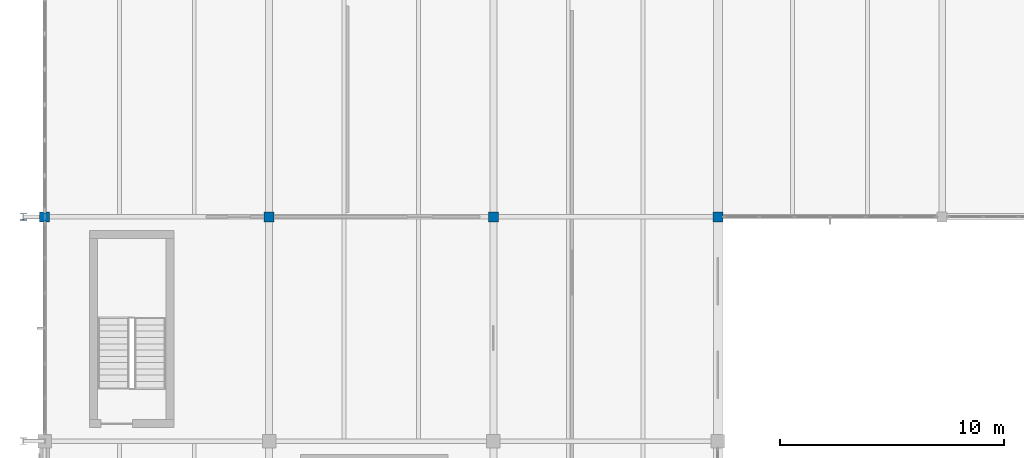
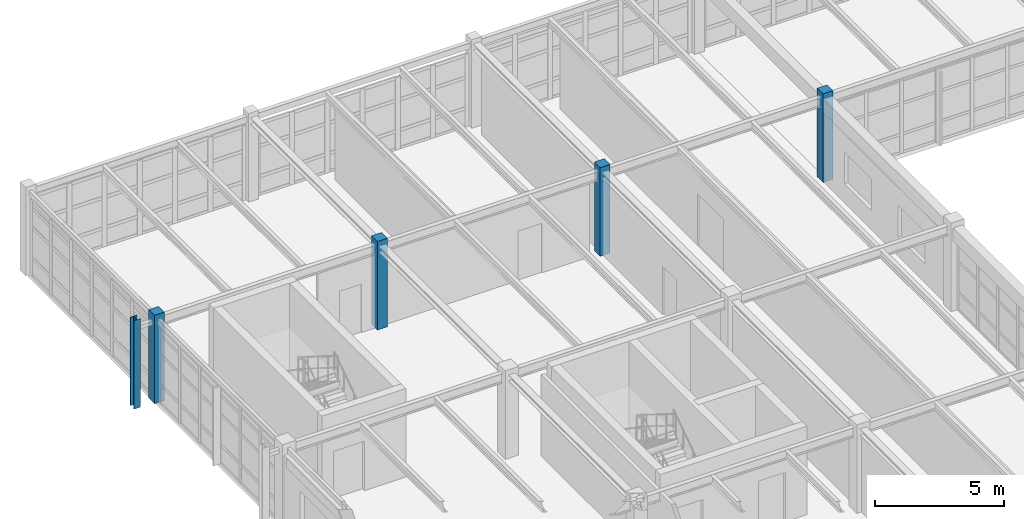
# One storey, part 5 of 122: 5 columns.
"""IFC4 building model written with IfcOpenShell, lengths in metres."""

from ifc_helpers import new_model, si_unit, direction, frame, origin, origin_2d, place, context, subcontext, project, spatial, rectangle, i_section, extrude, material, material_profile, profile_set, type_object, element, save


model = new_model("IFC4")

# Units and contexts
model_context = context("Model", 3, precision=1e-05, world=origin(), true_north=direction((0.0, 1.0)))
body_context = subcontext(model_context, "Body", "Model", "MODEL_VIEW")
ifc_project = project(units=[si_unit("LENGTHUNIT", "METRE"), si_unit("AREAUNIT", "SQUARE_METRE"), si_unit("VOLUMEUNIT", "CUBIC_METRE"), si_unit("PLANEANGLEUNIT", "RADIAN"), si_unit("MASSUNIT", "GRAM", prefix="KILO"), si_unit("THERMODYNAMICTEMPERATUREUNIT", "KELVIN"), si_unit("POWERUNIT", "WATT")], contexts=[model_context])

# Site, building, storey
site_placement = place(None, origin())
site = spatial("IfcSite", under=ifc_project, at=site_placement, CompositionType="ELEMENT")
building_placement = place(site_placement, origin())
building = spatial("IfcBuilding", under=site, at=building_placement, Name="Korenveer Ferry Terminal", CompositionType="ELEMENT")
storey_placement = place(building_placement, frame((0.0, 0.0, 10.199951171875)))
storey = spatial("IfcBuildingStorey", under=building, at=storey_placement, Name="L02", CompositionType="ELEMENT", Elevation=10.199951171875)

# Columns
ifc_material_1 = material(Name="Concrete C45/55", Category="concrete")
ifc_material_profile_1 = material_profile(ifc_material_1, rectangle(XDim=0.449951171875, YDim=0.449951171875, at=origin_2d()), Name="RC 450x450")
ifc_profile_set_1 = profile_set([ifc_material_profile_1], Name="Concrete C45/55")
column_type_1 = type_object("IfcColumnType", Name="STR-COL-RC450", PredefinedType="COLUMN", material=ifc_profile_set_1)
for number, where, z_axis, x_axis, name in (
    (1, (0.0, 70.0, 0.0), (0.0, 0.0, 1.0), (1.0, 0.0, 0.0), "Column COL-L02-X0-Y70"),
    (2, (10.0, 70.0, 0.0), (0.0, 0.0, 1.0), (1.0, 0.0, 0.0), "Column COL-L02-X10-Y70"),
    (3, (20.0, 70.0, 0.0), (0.0, 0.0, 1.0), (1.0, 0.0, 0.0), "Column COL-L02-X20-Y70"),
    (4, (30.0, 70.0, 0.0), (0.0, 0.0, 1.0), (1.0, 0.0, 0.0), "Column COL-L02-X30-Y70"),
):
    element("IfcColumn", number, at=place(storey_placement, frame(where, z_axis=z_axis, x_axis=x_axis)), inside=storey, type_object=column_type_1, Name=name, PredefinedType="COLUMN", context=body_context, shape_type="SweptSolid", body=[
        extrude(rectangle(XDim=0.449951171875, YDim=0.449951171875, at=origin_2d()), origin(), (0.0, 0.0, 1.0), 4.199951171875),
    ])
ifc_material_2 = material(Name="Steel S355", Category="steel")
ifc_material_profile_2 = material_profile(ifc_material_2, i_section(OverallWidth=0.300048828125, OverallDepth=0.2900390625, WebThickness=0.008544921875, FlangeThickness=0.013916015625, FilletRadius=0.027099609375, at=origin_2d()), Name="HEA 300")
ifc_profile_set_2 = profile_set([ifc_material_profile_2], Name="Steel S355")
column_type_2 = type_object("IfcColumnType", Name="STR-PIL-BRICK450", PredefinedType="PILASTER", material=ifc_profile_set_2)
column_placement = place(storey_placement, frame((-0.949951171875, 70.0, 0.0), z_axis=(0.0, 0.0, 1.0), x_axis=(1.0, 0.0, 0.0)))
element("IfcColumn", 5, at=column_placement, inside=storey, type_object=column_type_2, Name="Buttress pilaster 18", PredefinedType="PILASTER", context=body_context, shape_type="SweptSolid", body=[
    extrude(i_section(OverallWidth=0.300048828125, OverallDepth=0.2900390625, WebThickness=0.008544921875, FlangeThickness=0.013916015625, FilletRadius=0.027099609375, at=origin_2d()), origin(), (0.0, 0.0, 1.0), 4.199951171875),
])

save(model, "model.ifc")
